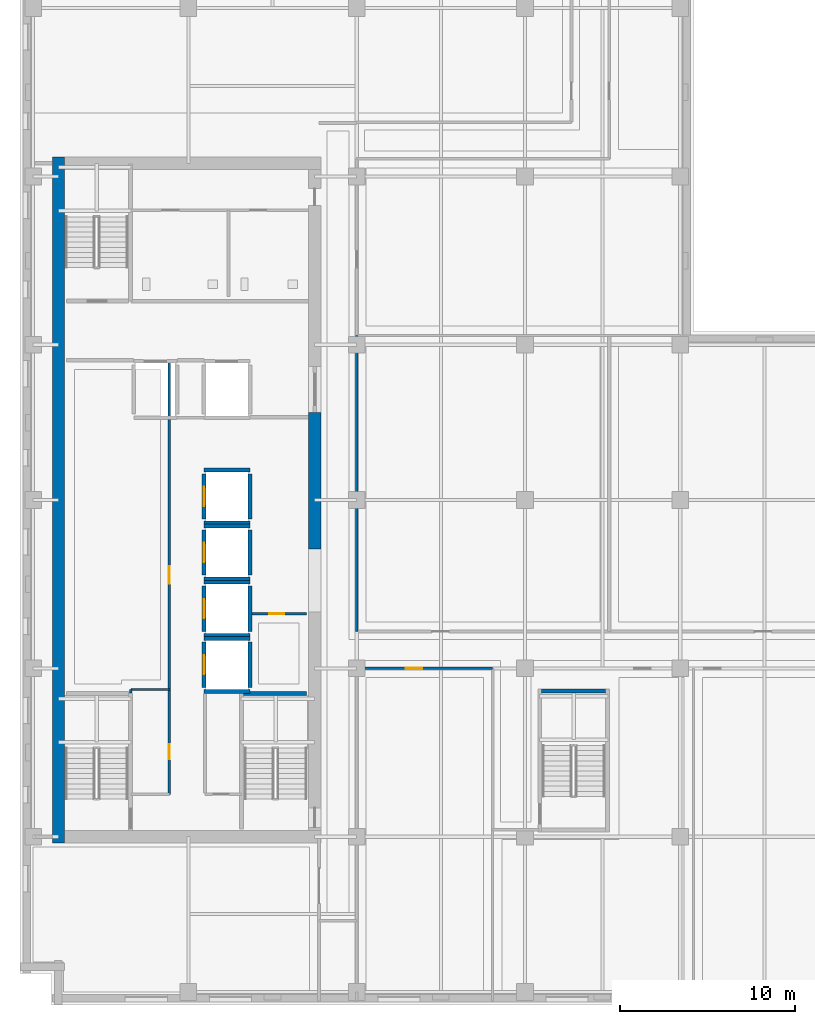
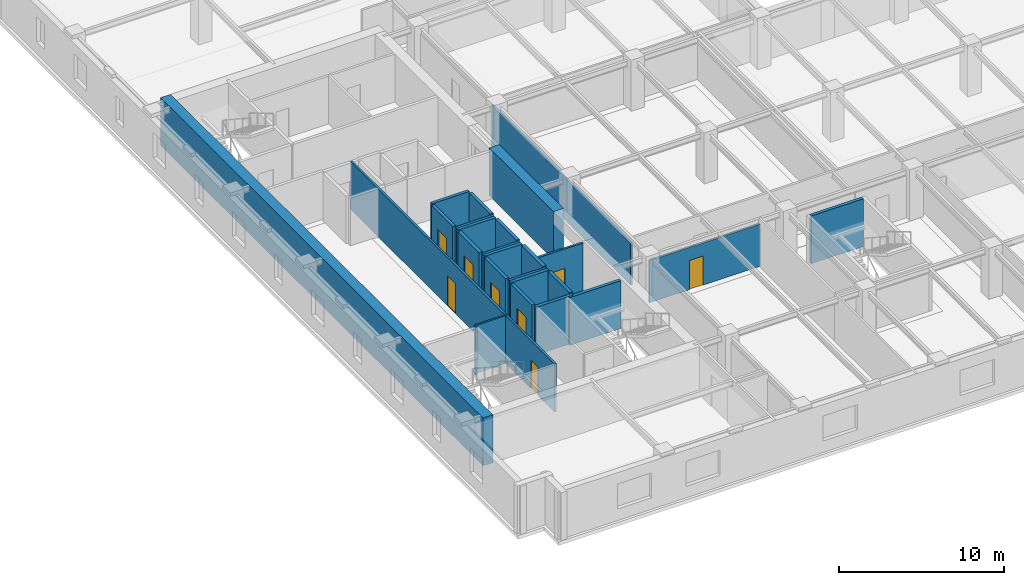
# One storey, part 5 of 13: 26 walls, 8 doors, 8 openings.
"""IFC4 building model written with IfcOpenShell, lengths in metres."""

from ifc_helpers import new_model, si_unit, direction, frame, frame_2d, origin, place, context, subcontext, project, spatial, rectangle, extrude, material, layer, layer_set, type_object, element, fill, save


model = new_model("IFC4")

# Units and contexts
model_context = context("Model", 3, precision=1e-05, world=origin(), true_north=direction((0.0, 1.0)))
body_context = subcontext(model_context, "Body", "Model", "MODEL_VIEW")
ifc_project = project(units=[si_unit("LENGTHUNIT", "METRE"), si_unit("AREAUNIT", "SQUARE_METRE"), si_unit("VOLUMEUNIT", "CUBIC_METRE"), si_unit("PLANEANGLEUNIT", "RADIAN"), si_unit("MASSUNIT", "GRAM", prefix="KILO")], contexts=[model_context])

# Site, building, storey
site_placement = place(None, origin())
site = spatial("IfcSite", under=ifc_project, at=site_placement, CompositionType="ELEMENT")
building_placement = place(site_placement, origin())
building = spatial("IfcBuilding", under=site, at=building_placement, Name="Norrvale University Quadrangle", CompositionType="ELEMENT")
storey_placement = place(building_placement, frame((0.0, 0.0, 159.800048828125)))
storey = spatial("IfcBuildingStorey", under=building, at=storey_placement, Name="L40", CompositionType="ELEMENT", Elevation=159.800048828125)

# Walls
ifc_material_1 = material(Name="Concrete C60/75", Category="concrete")
ifc_layer_1 = layer(ifc_material_1, 0.699951171875, Name="Concrete C60/75")
ifc_layer_set_1 = layer_set([ifc_layer_1], Name="Concrete C60/75")
wall_type_1 = type_object("IfcWallType", Name="Wall Core 700", PredefinedType="SHEAR", material=ifc_layer_set_1)
wall_1_placement = place(storey_placement, frame((2.199951171875, 9.25, 0.0), z_axis=(0.0, 0.0, 1.0), x_axis=(0.0, 1.0, 0.0)))
element("IfcWall", 1, at=wall_1_placement, inside=storey, type_object=wall_type_1, Name="Tower Core Shear Wall L40-W", PredefinedType="SHEAR", context=body_context, shape_type="SweptSolid", body=[
    extrude(rectangle(XDim=39.10009765625, YDim=0.699951171875, at=frame_2d((19.550048828125, 0.0))), origin(), (0.0, 0.0, 1.0), 3.5400390625),
])
wall_2_placement = place(storey_placement, frame((16.800048828125, 26.0, 0.0), z_axis=(0.0, 0.0, 1.0), x_axis=(0.0, 1.0, 0.0)))
element("IfcWall", 2, at=wall_2_placement, inside=storey, type_object=wall_type_1, Name="Tower Core Shear Wall L40-E2", PredefinedType="SHEAR", context=body_context, shape_type="SweptSolid", body=[
    extrude(rectangle(XDim=7.800048828125, YDim=0.699951171875, at=frame_2d((3.89990234375, 0.0))), origin(), (0.0, 0.0, 1.0), 3.5400390625),
])
ifc_material_2 = material(Name="Standard Academic Gypsum Partition")
ifc_layer_2 = layer(ifc_material_2, 0.125, Name="Standard Academic Gypsum Partition")
ifc_layer_set_2 = layer_set([ifc_layer_2], Name="Standard Academic Gypsum Partition")
wall_type_2 = type_object("IfcWallType", Name="Wall Gypsum Academic 125", PredefinedType="PARTITIONING", material=ifc_layer_set_2)
wall_3_placement = place(storey_placement, frame((6.320068359375, 17.800048828125, 0.0), z_axis=(0.0, 0.0, 1.0), x_axis=(0.0, 1.0, 0.0)))
element("IfcWall", 3, at=wall_3_placement, inside=storey, type_object=wall_type_2, Name="Interior Partition WL-L40-REC-L1", PredefinedType="PARTITIONING", context=body_context, shape_type="SweptSolid", body=[
    extrude(rectangle(XDim=0.199951171875, YDim=0.125, at=frame_2d((0.10009765625, 0.0))), origin(), (0.0, 0.0, 1.0), 3.5400390625),
])
wall_4_placement = place(storey_placement, frame((6.320068359375, 18.0, 0.0), z_axis=(0.0, 0.0, 1.0), x_axis=(1.0, 0.0, 0.0)))
element("IfcWall", 4, at=wall_4_placement, inside=storey, type_object=wall_type_2, Name="Interior Partition WL-L40-REC-L2", PredefinedType="PARTITIONING", context=body_context, shape_type="SweptSolid", body=[
    extrude(rectangle(XDim=2.199951171875, YDim=0.125, at=frame_2d((1.10009765625, 0.0))), origin(), (0.0, 0.0, 1.0), 3.5400390625),
])

# Wall, opening, door
ifc_material_3 = material(Name="Fire-Rated Gypsum Stud Partition")
ifc_layer_3 = layer(ifc_material_3, 0.14990234375, Name="Fire-Rated Gypsum Stud Partition")
ifc_layer_set_3 = layer_set([ifc_layer_3], Name="Fire-Rated Gypsum Stud Partition")
wall_type_3 = type_object("IfcWallType", Name="Wall Gypsum Corridor 150", PredefinedType="PARTITIONING", material=ifc_layer_set_3)
wall_5_placement = place(storey_placement, frame((13.22509765625, 22.320068359375, 0.0), z_axis=(0.0, 0.0, 1.0), x_axis=(1.0, 0.0, 0.0)))
wall_5 = element("IfcWall", 5, at=wall_5_placement, inside=storey, type_object=wall_type_3, Name="Interior Partition WL-L40-JAN-N", PredefinedType="PARTITIONING", context=body_context, shape_type="SweptSolid", body=[
    extrude(rectangle(XDim=3.119873046875, YDim=0.14990234375, at=frame_2d((1.56005859375, 0.0))), origin(), (0.0, 0.0, 1.0), 3.5400390625),
])
opening_1_placement = place(wall_5_placement, frame((1.0, 0.0, 0.0)))
opening_1 = element("IfcOpeningElement", 6, at=opening_1_placement, cuts=wall_5, Name="Opening D10", PredefinedType="OPENING", context=body_context, shape_type="SweptSolid", body=[
    extrude(rectangle(XDim=0.85009765625, YDim=2.10009765625, at=frame_2d((0.425048828125, 1.050048828125))), frame((0.0, 0.0869140625, 0.0), z_axis=(0.0, -1.0, 0.0), x_axis=(1.0, 0.0, 0.0)), (0.0, 0.0, 1.0), 0.173828125),
])
ifc_material_4 = material(Name="Hollow Steel 350W Riser Fire Door", Category="steel")
door_type_1 = type_object("IfcDoorType", Name="Door Riser 850x2100", OperationType="NOTDEFINED", PredefinedType="DOOR", material=ifc_material_4)
door_1_placement = place(opening_1_placement, origin())
door_1 = element("IfcDoor", 7, at=door_1_placement, inside=storey, type_object=door_type_1, Name="Door Riser 850x2100 DR-L40-JAN", OperationType="SINGLE_SWING_LEFT", OverallHeight=2.10009765625, OverallWidth=0.85009765625, PredefinedType="DOOR", context=body_context, shape_type="SweptSolid", body=[
    extrude(rectangle(XDim=0.85009765625, YDim=2.10009765625, at=frame_2d((0.425048828125, 1.050048828125))), frame((0.0, 0.02490234375, 0.0), z_axis=(0.0, -1.0, 0.0), x_axis=(1.0, 0.0, 0.0)), (0.0, 0.0, 1.0), 0.050048828125),
])
fill(opening_1, door_1)

# Wall, openings, doors
wall_6_placement = place(storey_placement, frame((8.52001953125, 12.02001953125, 0.0), z_axis=(0.0, 0.0, 1.0), x_axis=(0.0, 1.0, 0.0)))
wall_6 = element("IfcWall", 8, at=wall_6_placement, inside=storey, type_object=wall_type_3, Name="Interior Partition WL-L40-REC-E", PredefinedType="PARTITIONING", context=body_context, shape_type="SweptSolid", body=[
    extrude(rectangle(XDim=24.760009765625, YDim=0.14990234375, at=frame_2d((12.3798828125, 0.0))), origin(), (0.0, 0.0, 1.0), 3.5400390625),
])
opening_2_placement = place(wall_6_placement, frame((2.0, 0.0, 0.0)))
opening_2 = element("IfcOpeningElement", 9, at=opening_2_placement, cuts=wall_6, Name="Opening D10", PredefinedType="OPENING", context=body_context, shape_type="SweptSolid", body=[
    extrude(rectangle(XDim=0.85009765625, YDim=2.10009765625, at=frame_2d((0.425048828125, 1.050048828125))), frame((0.0, 0.0869140625, 0.0), z_axis=(0.0, -1.0, 0.0), x_axis=(1.0, 0.0, 0.0)), (0.0, 0.0, 1.0), 0.173828125),
])
opening_3_placement = place(wall_6_placement, frame((12.0, 0.0, 0.0)))
opening_3 = element("IfcOpeningElement", 10, at=opening_3_placement, cuts=wall_6, Name="Opening D04", PredefinedType="OPENING", context=body_context, shape_type="SweptSolid", body=[
    extrude(rectangle(XDim=1.0, YDim=2.199951171875, at=frame_2d((0.5, 1.10009765625))), frame((0.0, 0.0869140625, 0.0), z_axis=(0.0, -1.0, 0.0), x_axis=(1.0, 0.0, 0.0)), (0.0, 0.0, 1.0), 0.173828125),
])
ifc_material_5 = material(Name="Solid-Core Oak Fire Door", Category="wood")
door_type_2 = type_object("IfcDoorType", Name="Door Corridor 1000x2200", OperationType="NOTDEFINED", PredefinedType="DOOR", material=ifc_material_5)
door_2_placement = place(opening_3_placement, origin())
door_2 = element("IfcDoor", 11, at=door_2_placement, inside=storey, type_object=door_type_2, Name="Door Corridor 1000x2200 DR-L40-REC2", OperationType="SINGLE_SWING_RIGHT", OverallHeight=2.199951171875, OverallWidth=1.0, PredefinedType="DOOR", context=body_context, shape_type="SweptSolid", body=[
    extrude(rectangle(XDim=1.0, YDim=2.199951171875, at=frame_2d((0.5, 1.10009765625))), frame((0.0, 0.02490234375, 0.0), z_axis=(0.0, -1.0, 0.0), x_axis=(1.0, 0.0, 0.0)), (0.0, 0.0, 1.0), 0.050048828125),
])
fill(opening_3, door_2)
door_3_placement = place(opening_2_placement, origin())
door_3 = element("IfcDoor", 12, at=door_3_placement, inside=storey, type_object=door_type_1, Name="Door Riser 850x2100 DR-L40-REC1", OperationType="SINGLE_SWING_LEFT", OverallHeight=2.10009765625, OverallWidth=0.85009765625, PredefinedType="DOOR", context=body_context, shape_type="SweptSolid", body=[
    extrude(rectangle(XDim=0.85009765625, YDim=2.10009765625, at=frame_2d((0.425048828125, 1.050048828125))), frame((0.0, 0.02490234375, 0.0), z_axis=(0.0, -1.0, 0.0), x_axis=(1.0, 0.0, 0.0)), (0.0, 0.0, 1.0), 0.050048828125),
])
fill(opening_2, door_3)

# Wall, opening, door
wall_7_placement = place(storey_placement, frame((19.199951171875, 19.199951171875, 0.0), z_axis=(0.0, 0.0, 1.0), x_axis=(1.0, 0.0, 0.0)))
wall_7 = element("IfcWall", 13, at=wall_7_placement, inside=storey, type_object=wall_type_3, Name="Interior Partition WL-L40-SEW1", PredefinedType="PARTITIONING", context=body_context, shape_type="SweptSolid", body=[
    extrude(rectangle(XDim=7.75, YDim=0.14990234375, at=frame_2d((3.875, 0.0))), origin(), (0.0, 0.0, 1.0), 3.123046875),
])
opening_4_placement = place(wall_7_placement, frame((2.800048828125, 0.0, 0.0)))
opening_4 = element("IfcOpeningElement", 14, at=opening_4_placement, cuts=wall_7, Name="Opening D07", PredefinedType="OPENING", context=body_context, shape_type="SweptSolid", body=[
    extrude(rectangle(XDim=0.949951171875, YDim=2.14990234375, at=frame_2d((0.47509765625, 1.074951171875))), frame((0.0, 0.0869140625, 0.0), z_axis=(0.0, -1.0, 0.0), x_axis=(1.0, 0.0, 0.0)), (0.0, 0.0, 1.0), 0.173828125),
])
ifc_material_6 = material(Name="Solid-Core Maple Door", Category="wood")
door_type_3 = type_object("IfcDoorType", Name="Door Office 950x2150", OperationType="NOTDEFINED", PredefinedType="DOOR", material=ifc_material_6)
door_4_placement = place(opening_4_placement, origin())
door_4 = element("IfcDoor", 15, at=door_4_placement, inside=storey, type_object=door_type_3, Name="Door Office 950x2150 DR-L40-SE1", OperationType="SINGLE_SWING_LEFT", OverallHeight=2.14990234375, OverallWidth=0.949951171875, PredefinedType="DOOR", context=body_context, shape_type="SweptSolid", body=[
    extrude(rectangle(XDim=0.949951171875, YDim=2.14990234375, at=frame_2d((0.47509765625, 1.074951171875))), frame((0.0, 0.02490234375, 0.0), z_axis=(0.0, -1.0, 0.0), x_axis=(1.0, 0.0, 0.0)), (0.0, 0.0, 1.0), 0.050048828125),
])
fill(opening_4, door_4)

# Walls
wall_8_placement = place(storey_placement, frame((19.199951171875, 21.300048828125, 0.0), z_axis=(0.0, 0.0, 1.0), x_axis=(0.0, 1.0, 0.0)))
element("IfcWall", 16, at=wall_8_placement, inside=storey, type_object=wall_type_3, Name="Interior Partition WL-L40-ME-W", PredefinedType="PARTITIONING", context=body_context, shape_type="SweptSolid", body=[
    extrude(rectangle(XDim=16.8798828125, YDim=0.14990234375, at=frame_2d((8.43994140625, 0.0))), origin(), (0.0, 0.0, 1.0), 3.123046875),
])
ifc_material_7 = material(Name="Concrete Blockwork 20 MPa Fire Shaft", Category="masonry")
ifc_layer_4 = layer(ifc_material_7, 0.219970703125, Name="Concrete Blockwork 20 MPa Fire Shaft")
ifc_layer_set_4 = layer_set([ifc_layer_4], Name="Concrete Blockwork 20 MPa Fire Shaft")
wall_type_4 = type_object("IfcWallType", Name="Wall Shaft 220", PredefinedType="SOLIDWALL", material=ifc_layer_set_4)
wall_9_placement = place(storey_placement, frame((12.75, 17.760009765625, 0.0), z_axis=(0.0, 0.0, 1.0), x_axis=(1.0, 0.0, 0.0)))
element("IfcWall", 17, at=wall_9_placement, inside=storey, type_object=wall_type_4, Name="Stair ST-03 North Shaft Wall L40", PredefinedType="SOLIDWALL", context=body_context, shape_type="SweptSolid", body=[
    extrude(rectangle(XDim=3.60009765625, YDim=0.219970703125, at=frame_2d((1.800048828125, 0.0))), origin(), (0.0, 0.0, 1.0), 3.5400390625),
])
wall_10_placement = place(storey_placement, frame((29.75, 17.909912109375, 0.0), z_axis=(0.0, 0.0, 1.0), x_axis=(1.0, 0.0, 0.0)))
element("IfcWall", 18, at=wall_10_placement, inside=storey, type_object=wall_type_4, Name="Stair ST-04 North Shaft Wall L40", PredefinedType="SOLIDWALL", context=body_context, shape_type="SweptSolid", body=[
    extrude(rectangle(XDim=3.64990234375, YDim=0.219970703125, at=frame_2d((1.824951171875, 0.0))), origin(), (0.0, 0.0, 1.0), 3.5400390625),
])

# Wall, opening, door
wall_11_placement = place(storey_placement, frame((10.489990234375, 18.110107421875, 0.0), z_axis=(0.0, 0.0, 1.0), x_axis=(0.0, 1.0, 0.0)))
wall_11 = element("IfcWall", 19, at=wall_11_placement, inside=storey, type_object=wall_type_4, Name="Hoistway PL-05 West Wall L40", PredefinedType="SOLIDWALL", context=body_context, shape_type="SweptSolid", body=[
    extrude(rectangle(XDim=2.579833984375, YDim=0.219970703125, at=frame_2d((1.2900390625, 0.0))), origin(), (0.0, 0.0, 1.0), 3.5400390625),
])
opening_5_placement = place(wall_11_placement, frame((0.739990234375, 0.0, 0.0)))
opening_5 = element("IfcOpeningElement", 20, at=opening_5_placement, cuts=wall_11, Name="Opening LD1", PredefinedType="OPENING", context=body_context, shape_type="SweptSolid", body=[
    extrude(rectangle(XDim=1.10009765625, YDim=2.199951171875, at=frame_2d((0.550048828125, 1.10009765625))), frame((0.0, 0.1220703125, 0.0), z_axis=(0.0, -1.0, 0.0), x_axis=(1.0, 0.0, 0.0)), (0.0, 0.0, 1.0), 0.243896484375),
])
ifc_material_8 = material(Name="Stainless Steel 316L Lift Landing Door", Category="steel")
door_type_4 = type_object("IfcDoorType", Name="Door Lift Landing 1100x2200", OperationType="DOUBLE_DOOR_SLIDING", PredefinedType="DOOR", material=ifc_material_8)
door_5_placement = place(opening_5_placement, origin())
door_5 = element("IfcDoor", 21, at=door_5_placement, inside=storey, type_object=door_type_4, Name="Elevator Landing Door DR-L40-PL-05", OperationType="DOUBLE_DOOR_SLIDING", OverallHeight=2.199951171875, OverallWidth=1.10009765625, PredefinedType="DOOR", context=body_context, shape_type="SweptSolid", body=[
    extrude(rectangle(XDim=1.10009765625, YDim=2.199951171875, at=frame_2d((0.550048828125, 1.10009765625))), frame((0.0, 0.02490234375, 0.0), z_axis=(0.0, -1.0, 0.0), x_axis=(1.0, 0.0, 0.0)), (0.0, 0.0, 1.0), 0.050048828125),
])
fill(opening_5, door_5)

# Walls
wall_12_placement = place(storey_placement, frame((13.110107421875, 18.110107421875, 0.0), z_axis=(0.0, 0.0, 1.0), x_axis=(0.0, 1.0, 0.0)))
element("IfcWall", 22, at=wall_12_placement, inside=storey, type_object=wall_type_4, Name="Hoistway PL-05 East Wall L40", PredefinedType="SOLIDWALL", context=body_context, shape_type="SweptSolid", body=[
    extrude(rectangle(XDim=2.579833984375, YDim=0.219970703125, at=frame_2d((1.2900390625, 0.0))), origin(), (0.0, 0.0, 1.0), 3.5400390625),
])
for number, where, z_axis, x_axis, name in (
    (23, (10.489990234375, 17.889892578125, 0.0), (0.0, 0.0, 1.0), (1.0, 0.0, 0.0), "Hoistway PL-05 South Wall L40"),
    (24, (10.489990234375, 20.909912109375, 0.0), (0.0, 0.0, 1.0), (1.0, 0.0, 0.0), "Hoistway PL-05 North Wall L40"),
):
    element("IfcWall", number, at=place(storey_placement, frame(where, z_axis=z_axis, x_axis=x_axis)), inside=storey, type_object=wall_type_4, Name=name, PredefinedType="SOLIDWALL", context=body_context, shape_type="SweptSolid", body=[
        extrude(rectangle(XDim=2.6201171875, YDim=0.219970703125, at=frame_2d((1.31005859375, 0.0))), origin(), (0.0, 0.0, 1.0), 3.5400390625),
    ])

# Wall, opening, door
wall_13_placement = place(storey_placement, frame((10.489990234375, 21.31005859375, 0.0), z_axis=(0.0, 0.0, 1.0), x_axis=(0.0, 1.0, 0.0)))
wall_13 = element("IfcWall", 25, at=wall_13_placement, inside=storey, type_object=wall_type_4, Name="Hoistway PL-06 West Wall L40", PredefinedType="SOLIDWALL", context=body_context, shape_type="SweptSolid", body=[
    extrude(rectangle(XDim=2.579833984375, YDim=0.219970703125, at=frame_2d((1.2900390625, 0.0))), origin(), (0.0, 0.0, 1.0), 3.5400390625),
])
opening_6_placement = place(wall_13_placement, frame((0.739990234375, 0.0, 0.0)))
opening_6 = element("IfcOpeningElement", 26, at=opening_6_placement, cuts=wall_13, Name="Opening LD1", PredefinedType="OPENING", context=body_context, shape_type="SweptSolid", body=[
    extrude(rectangle(XDim=1.10009765625, YDim=2.199951171875, at=frame_2d((0.550048828125, 1.10009765625))), frame((0.0, 0.1220703125, 0.0), z_axis=(0.0, -1.0, 0.0), x_axis=(1.0, 0.0, 0.0)), (0.0, 0.0, 1.0), 0.243896484375),
])
door_6_placement = place(opening_6_placement, origin())
door_6 = element("IfcDoor", 27, at=door_6_placement, inside=storey, type_object=door_type_4, Name="Elevator Landing Door DR-L40-PL-06", OperationType="DOUBLE_DOOR_SLIDING", OverallHeight=2.199951171875, OverallWidth=1.10009765625, PredefinedType="DOOR", context=body_context, shape_type="SweptSolid", body=[
    extrude(rectangle(XDim=1.10009765625, YDim=2.199951171875, at=frame_2d((0.550048828125, 1.10009765625))), frame((0.0, 0.02490234375, 0.0), z_axis=(0.0, -1.0, 0.0), x_axis=(1.0, 0.0, 0.0)), (0.0, 0.0, 1.0), 0.050048828125),
])
fill(opening_6, door_6)

# Walls
wall_14_placement = place(storey_placement, frame((13.110107421875, 21.31005859375, 0.0), z_axis=(0.0, 0.0, 1.0), x_axis=(0.0, 1.0, 0.0)))
element("IfcWall", 28, at=wall_14_placement, inside=storey, type_object=wall_type_4, Name="Hoistway PL-06 East Wall L40", PredefinedType="SOLIDWALL", context=body_context, shape_type="SweptSolid", body=[
    extrude(rectangle(XDim=2.579833984375, YDim=0.219970703125, at=frame_2d((1.2900390625, 0.0))), origin(), (0.0, 0.0, 1.0), 3.5400390625),
])
for number, where, z_axis, x_axis, name in (
    (29, (10.489990234375, 21.090087890625, 0.0), (0.0, 0.0, 1.0), (1.0, 0.0, 0.0), "Hoistway PL-06 South Wall L40"),
    (30, (10.489990234375, 24.110107421875, 0.0), (0.0, 0.0, 1.0), (1.0, 0.0, 0.0), "Hoistway PL-06 North Wall L40"),
):
    element("IfcWall", number, at=place(storey_placement, frame(where, z_axis=z_axis, x_axis=x_axis)), inside=storey, type_object=wall_type_4, Name=name, PredefinedType="SOLIDWALL", context=body_context, shape_type="SweptSolid", body=[
        extrude(rectangle(XDim=2.6201171875, YDim=0.219970703125, at=frame_2d((1.31005859375, 0.0))), origin(), (0.0, 0.0, 1.0), 3.5400390625),
    ])

# Wall, opening, door
wall_15_placement = place(storey_placement, frame((10.489990234375, 24.510009765625, 0.0), z_axis=(0.0, 0.0, 1.0), x_axis=(0.0, 1.0, 0.0)))
wall_15 = element("IfcWall", 31, at=wall_15_placement, inside=storey, type_object=wall_type_4, Name="Hoistway PL-07 West Wall L40", PredefinedType="SOLIDWALL", context=body_context, shape_type="SweptSolid", body=[
    extrude(rectangle(XDim=2.580078125, YDim=0.219970703125, at=frame_2d((1.2900390625, 0.0))), origin(), (0.0, 0.0, 1.0), 3.5400390625),
])
opening_7_placement = place(wall_15_placement, frame((0.739990234375, 0.0, 0.0)))
opening_7 = element("IfcOpeningElement", 32, at=opening_7_placement, cuts=wall_15, Name="Opening LD1", PredefinedType="OPENING", context=body_context, shape_type="SweptSolid", body=[
    extrude(rectangle(XDim=1.10009765625, YDim=2.199951171875, at=frame_2d((0.550048828125, 1.10009765625))), frame((0.0, 0.1220703125, 0.0), z_axis=(0.0, -1.0, 0.0), x_axis=(1.0, 0.0, 0.0)), (0.0, 0.0, 1.0), 0.243896484375),
])
door_7_placement = place(opening_7_placement, origin())
door_7 = element("IfcDoor", 33, at=door_7_placement, inside=storey, type_object=door_type_4, Name="Elevator Landing Door DR-L40-PL-07", OperationType="DOUBLE_DOOR_SLIDING", OverallHeight=2.199951171875, OverallWidth=1.10009765625, PredefinedType="DOOR", context=body_context, shape_type="SweptSolid", body=[
    extrude(rectangle(XDim=1.10009765625, YDim=2.199951171875, at=frame_2d((0.550048828125, 1.10009765625))), frame((0.0, 0.02490234375, 0.0), z_axis=(0.0, -1.0, 0.0), x_axis=(1.0, 0.0, 0.0)), (0.0, 0.0, 1.0), 0.050048828125),
])
fill(opening_7, door_7)

# Walls
wall_16_placement = place(storey_placement, frame((13.110107421875, 24.510009765625, 0.0), z_axis=(0.0, 0.0, 1.0), x_axis=(0.0, 1.0, 0.0)))
element("IfcWall", 34, at=wall_16_placement, inside=storey, type_object=wall_type_4, Name="Hoistway PL-07 East Wall L40", PredefinedType="SOLIDWALL", context=body_context, shape_type="SweptSolid", body=[
    extrude(rectangle(XDim=2.580078125, YDim=0.219970703125, at=frame_2d((1.2900390625, 0.0))), origin(), (0.0, 0.0, 1.0), 3.5400390625),
])
for number, where, z_axis, x_axis, name in (
    (35, (10.489990234375, 24.2900390625, 0.0), (0.0, 0.0, 1.0), (1.0, 0.0, 0.0), "Hoistway PL-07 South Wall L40"),
    (36, (10.489990234375, 27.31005859375, 0.0), (0.0, 0.0, 1.0), (1.0, 0.0, 0.0), "Hoistway PL-07 North Wall L40"),
):
    element("IfcWall", number, at=place(storey_placement, frame(where, z_axis=z_axis, x_axis=x_axis)), inside=storey, type_object=wall_type_4, Name=name, PredefinedType="SOLIDWALL", context=body_context, shape_type="SweptSolid", body=[
        extrude(rectangle(XDim=2.6201171875, YDim=0.219970703125, at=frame_2d((1.31005859375, 0.0))), origin(), (0.0, 0.0, 1.0), 3.5400390625),
    ])

# Wall, opening, door
wall_17_placement = place(storey_placement, frame((10.489990234375, 27.7099609375, 0.0), z_axis=(0.0, 0.0, 1.0), x_axis=(0.0, 1.0, 0.0)))
wall_17 = element("IfcWall", 37, at=wall_17_placement, inside=storey, type_object=wall_type_4, Name="Hoistway PL-08 West Wall L40", PredefinedType="SOLIDWALL", context=body_context, shape_type="SweptSolid", body=[
    extrude(rectangle(XDim=2.580078125, YDim=0.219970703125, at=frame_2d((1.2900390625, 0.0))), origin(), (0.0, 0.0, 1.0), 3.5400390625),
])
opening_8_placement = place(wall_17_placement, frame((0.739990234375, 0.0, 0.0)))
opening_8 = element("IfcOpeningElement", 38, at=opening_8_placement, cuts=wall_17, Name="Opening LD1", PredefinedType="OPENING", context=body_context, shape_type="SweptSolid", body=[
    extrude(rectangle(XDim=1.10009765625, YDim=2.199951171875, at=frame_2d((0.550048828125, 1.10009765625))), frame((0.0, 0.1220703125, 0.0), z_axis=(0.0, -1.0, 0.0), x_axis=(1.0, 0.0, 0.0)), (0.0, 0.0, 1.0), 0.243896484375),
])
door_8_placement = place(opening_8_placement, origin())
door_8 = element("IfcDoor", 39, at=door_8_placement, inside=storey, type_object=door_type_4, Name="Elevator Landing Door DR-L40-PL-08", OperationType="DOUBLE_DOOR_SLIDING", OverallHeight=2.199951171875, OverallWidth=1.10009765625, PredefinedType="DOOR", context=body_context, shape_type="SweptSolid", body=[
    extrude(rectangle(XDim=1.10009765625, YDim=2.199951171875, at=frame_2d((0.550048828125, 1.10009765625))), frame((0.0, 0.02490234375, 0.0), z_axis=(0.0, -1.0, 0.0), x_axis=(1.0, 0.0, 0.0)), (0.0, 0.0, 1.0), 0.050048828125),
])
fill(opening_8, door_8)

# Walls
wall_18_placement = place(storey_placement, frame((13.110107421875, 27.7099609375, 0.0), z_axis=(0.0, 0.0, 1.0), x_axis=(0.0, 1.0, 0.0)))
element("IfcWall", 40, at=wall_18_placement, inside=storey, type_object=wall_type_4, Name="Hoistway PL-08 East Wall L40", PredefinedType="SOLIDWALL", context=body_context, shape_type="SweptSolid", body=[
    extrude(rectangle(XDim=2.580078125, YDim=0.219970703125, at=frame_2d((1.2900390625, 0.0))), origin(), (0.0, 0.0, 1.0), 3.5400390625),
])
for number, where, z_axis, x_axis, name in (
    (41, (10.489990234375, 27.489990234375, 0.0), (0.0, 0.0, 1.0), (1.0, 0.0, 0.0), "Hoistway PL-08 South Wall L40"),
    (42, (10.489990234375, 30.510009765625, 0.0), (0.0, 0.0, 1.0), (1.0, 0.0, 0.0), "Hoistway PL-08 North Wall L40"),
):
    element("IfcWall", number, at=place(storey_placement, frame(where, z_axis=z_axis, x_axis=x_axis)), inside=storey, type_object=wall_type_4, Name=name, PredefinedType="SOLIDWALL", context=body_context, shape_type="SweptSolid", body=[
        extrude(rectangle(XDim=2.6201171875, YDim=0.219970703125, at=frame_2d((1.31005859375, 0.0))), origin(), (0.0, 0.0, 1.0), 3.5400390625),
    ])

save(model, "model.ifc")
